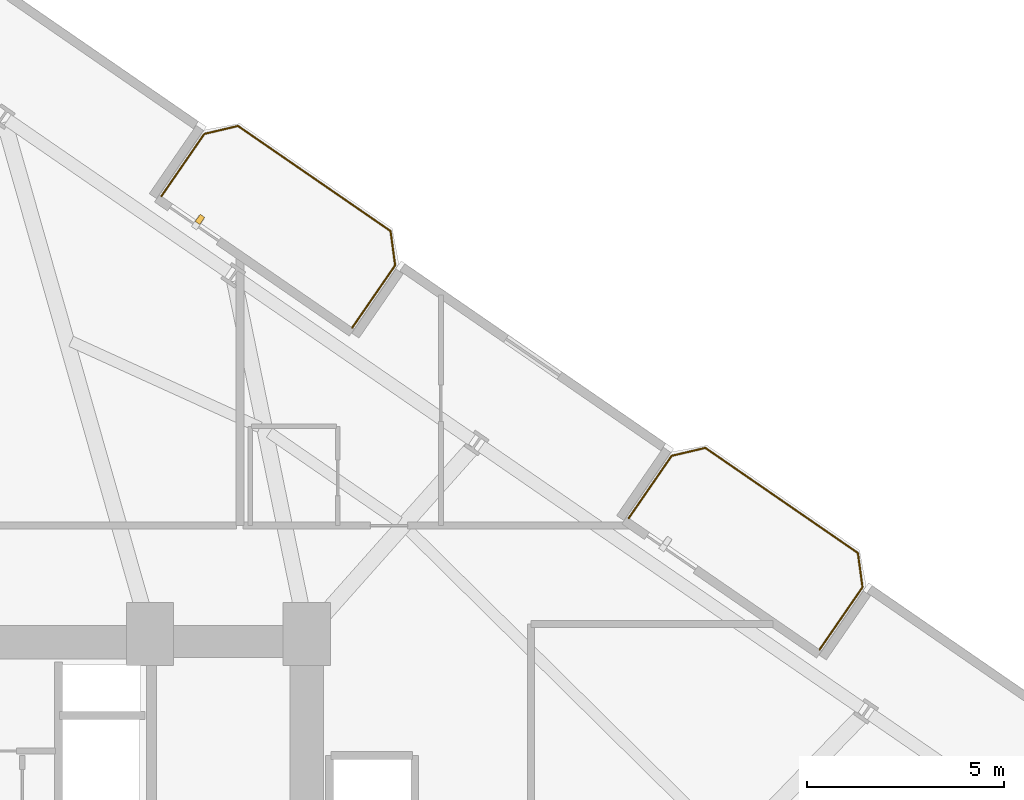
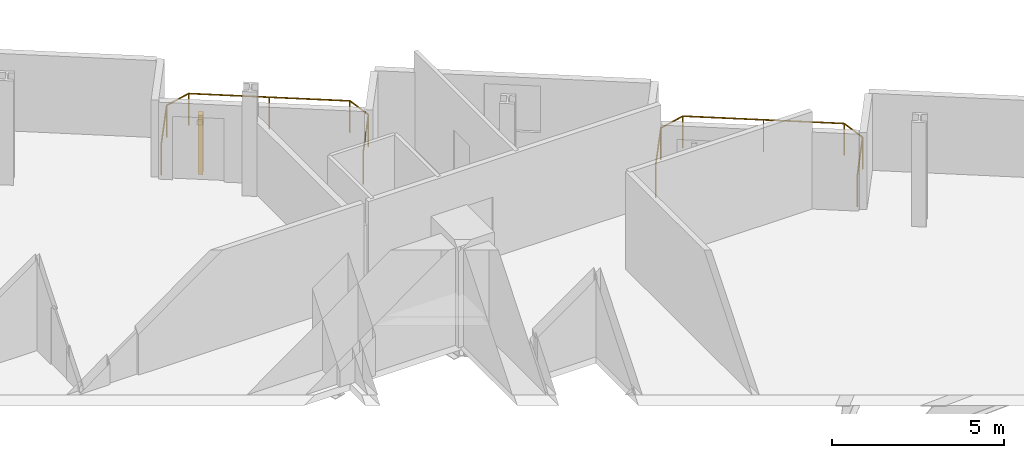
# One storey, part 25 of 25: 2 railings, 1 shading device.
"""IFC4 building model written with IfcOpenShell, lengths in metres."""

from ifc_helpers import new_model, si_unit, direction, frame, origin, origin_2d, place, context, subcontext, project, spatial, rectangle, circle, extrude, source, transform, mapped, material, type_object, element, save


model = new_model("IFC4")

# Units and contexts
model_context = context("Model", 3, precision=1e-05, world=origin(), true_north=direction((0.0, 1.0)))
body_context = subcontext(model_context, "Body", "Model", "MODEL_VIEW")
ifc_project = project(units=[si_unit("LENGTHUNIT", "METRE"), si_unit("AREAUNIT", "SQUARE_METRE"), si_unit("VOLUMEUNIT", "CUBIC_METRE"), si_unit("PLANEANGLEUNIT", "RADIAN"), si_unit("MASSUNIT", "GRAM", prefix="KILO")], contexts=[model_context])

# Site, building, storey
site_placement = place(None, origin())
site = spatial("IfcSite", under=ifc_project, at=site_placement, CompositionType="ELEMENT")
building_placement = place(site_placement, origin())
building = spatial("IfcBuilding", under=site, at=building_placement, Name="Varnelok Gate Tower", CompositionType="ELEMENT")
storey_placement = place(building_placement, frame((0.0, 0.0, 56.60009765625)))
storey = spatial("IfcBuildingStorey", under=building, at=storey_placement, Name="L13", CompositionType="ELEMENT", Elevation=56.60009765625)

# Railings
ifc_material_1 = material(Name="Low-E Laminated Double Glazing IGU", Category="glass")
railing_type = type_object("IfcRailingType", Name="RL-BALC-1150", PredefinedType="BALUSTRADE", material=ifc_material_1)
railing_1_placement = place(storey_placement, frame((44.010009765625, 50.158203125, 0.0)))
element("IfcRailing", 1, at=railing_1_placement, inside=storey, type_object=railing_type, Name="L13 North Terrace Balustrade 3", PredefinedType="BALUSTRADE", context=body_context, shape_type="SweptSolid", body=[
    extrude(circle(Radius=0.02392578125, at=origin_2d()), frame((0.0, 0.0, 1.1259765625), z_axis=(0.567284155424, 0.82352212296, 0.0), x_axis=(-0.82352212296, 0.567284155424, 0.0)), (0.0, 0.0, 1.0), 1.919921875),
    extrude(circle(Radius=0.02392578125, at=origin_2d()), frame((1.089111328125, 1.5810546875, 1.1259765625), z_axis=(0.973526462254, 0.228574336467, 0.0), x_axis=(-0.228574336467, 0.973526462254, 0.0)), (0.0, 0.0, 1.0), 0.8779296875),
    extrude(circle(Radius=0.02392578125, at=origin_2d()), frame((1.94384765625, 1.78173828125, 1.1259765625), z_axis=(0.823523239622, -0.567282534371, 0.0), x_axis=(0.567282534371, 0.823523239622, 0.0)), (0.0, 0.0, 1.0), 4.699951171875),
    extrude(circle(Radius=0.02392578125, at=origin_2d()), frame((5.814453125, -0.884521484375, 1.1259765625), z_axis=(0.133238627421, -0.991083986433, 0.0), x_axis=(0.991083986433, 0.133238627421, 0.0)), (0.0, 0.0, 1.0), 0.877685546875),
    extrude(circle(Radius=0.02392578125, at=origin_2d()), frame((5.931396484375, -1.75439453125, 1.1259765625), z_axis=(-0.567224752248, -0.823563039747, 0.0), x_axis=(0.823563039747, -0.567224752248, 0.0)), (0.0, 0.0, 1.0), 1.920166015625),
    extrude(circle(Radius=0.02099609375, at=origin_2d()), origin(), (0.0, 0.0, 1.0), 1.101806640625),
    extrude(circle(Radius=0.02099609375, at=origin_2d()), frame((1.089111328125, 1.5810546875, 0.0)), (0.0, 0.0, 1.0), 1.101806640625),
    extrude(circle(Radius=0.02099609375, at=origin_2d()), frame((1.94384765625, 1.78173828125, 0.0)), (0.0, 0.0, 1.0), 1.101806640625),
    extrude(circle(Radius=0.02099609375, at=origin_2d()), frame((3.879150390625, 0.44873046875, 0.0)), (0.0, 0.0, 1.0), 1.101806640625),
    extrude(circle(Radius=0.02099609375, at=origin_2d()), frame((5.814453125, -0.884521484375, 0.0)), (0.0, 0.0, 1.0), 1.101806640625),
    extrude(circle(Radius=0.02099609375, at=origin_2d()), frame((5.931396484375, -1.75439453125, 0.0)), (0.0, 0.0, 1.0), 1.101806640625),
    extrude(circle(Radius=0.02099609375, at=origin_2d()), frame((4.84228515625, -3.335693359375, 0.0)), (0.0, 0.0, 1.0), 1.101806640625),
])
railing_2_placement = place(storey_placement, frame((55.868896484375, 41.989501953125, 0.0)))
element("IfcRailing", 2, at=railing_2_placement, inside=storey, type_object=railing_type, Name="L13 North Terrace Balustrade 4", PredefinedType="BALUSTRADE", context=body_context, shape_type="SweptSolid", body=[
    extrude(circle(Radius=0.02392578125, at=origin_2d()), frame((0.0, 0.0, 1.1259765625), z_axis=(0.567284155424, 0.82352212296, 0.0), x_axis=(-0.82352212296, 0.567284155424, 0.0)), (0.0, 0.0, 1.0), 1.919921875),
    extrude(circle(Radius=0.02392578125, at=origin_2d()), frame((1.089111328125, 1.5810546875, 1.1259765625), z_axis=(0.973526462254, 0.228574336467, 0.0), x_axis=(-0.228574336467, 0.973526462254, 0.0)), (0.0, 0.0, 1.0), 0.8779296875),
    extrude(circle(Radius=0.02392578125, at=origin_2d()), frame((1.94384765625, 1.78173828125, 1.1259765625), z_axis=(0.823523239622, -0.567282534371, 0.0), x_axis=(0.567282534371, 0.823523239622, 0.0)), (0.0, 0.0, 1.0), 4.699951171875),
    extrude(circle(Radius=0.02392578125, at=origin_2d()), frame((5.814453125, -0.884521484375, 1.1259765625), z_axis=(0.133238627421, -0.991083986433, 0.0), x_axis=(0.991083986433, 0.133238627421, 0.0)), (0.0, 0.0, 1.0), 0.877685546875),
    extrude(circle(Radius=0.02392578125, at=origin_2d()), frame((5.931396484375, -1.75439453125, 1.1259765625), z_axis=(-0.567224752248, -0.823563039747, 0.0), x_axis=(0.823563039747, -0.567224752248, 0.0)), (0.0, 0.0, 1.0), 1.920166015625),
    extrude(circle(Radius=0.02099609375, at=origin_2d()), origin(), (0.0, 0.0, 1.0), 1.101806640625),
    extrude(circle(Radius=0.02099609375, at=origin_2d()), frame((1.089111328125, 1.5810546875, 0.0)), (0.0, 0.0, 1.0), 1.101806640625),
    extrude(circle(Radius=0.02099609375, at=origin_2d()), frame((1.94384765625, 1.78173828125, 0.0)), (0.0, 0.0, 1.0), 1.101806640625),
    extrude(circle(Radius=0.02099609375, at=origin_2d()), frame((3.879150390625, 0.44873046875, 0.0)), (0.0, 0.0, 1.0), 1.101806640625),
    extrude(circle(Radius=0.02099609375, at=origin_2d()), frame((5.814453125, -0.884521484375, 0.0)), (0.0, 0.0, 1.0), 1.101806640625),
    extrude(circle(Radius=0.02099609375, at=origin_2d()), frame((5.931396484375, -1.75439453125, 0.0)), (0.0, 0.0, 1.0), 1.101806640625),
    extrude(circle(Radius=0.02099609375, at=origin_2d()), frame((4.84228515625, -3.335693359375, 0.0)), (0.0, 0.0, 1.0), 1.101806640625),
])

# Shading device
ifc_material_2 = material(Name="Glazed Architectural Terracotta Ceramic", Category="masonry")
shading_device_type = type_object("IfcShadingDeviceType", Name="SHD-TERRA-FIN", PredefinedType="USERDEFINED", material=ifc_material_2)
shared_shape = source(origin(), body_context, "Body", "SweptSolid", [
    extrude(rectangle(XDim=0.139892578125, YDim=0.219970703125, at=origin_2d()), origin(), (0.0, 0.0, 1.0), 2.10009765625),
])
shading_device_placement = place(storey_placement, frame((44.988525390625, 49.569091796875, 0.099853515625), z_axis=(0.0, 0.0, 1.0), x_axis=(0.823532597628, -0.567268949127, 0.0)))
element("IfcShadingDevice", 3, at=shading_device_placement, inside=storey, type_object=shading_device_type, Name="L13 Terracotta Ceramic Baguette Sunscreen 3.1", ObjectType="BAGUETTE", PredefinedType="USERDEFINED", context=body_context, shape_type="MappedRepresentation", body=[
    mapped(shared_shape, transform((0.0, 0.0, 0.0), scale=1.0)),
])

save(model, "model.ifc")
